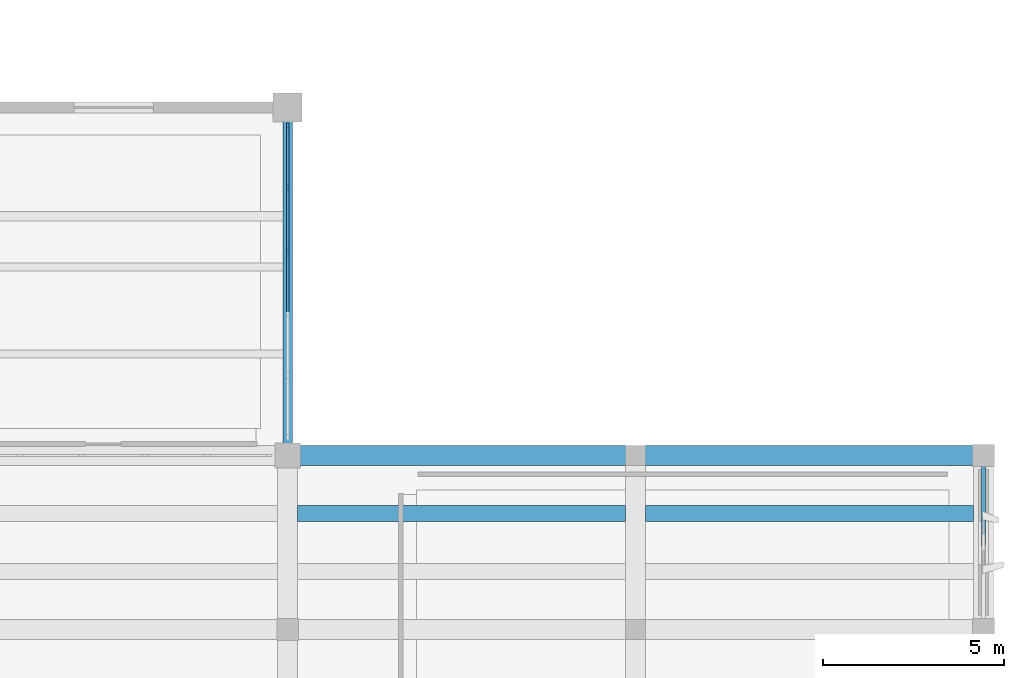
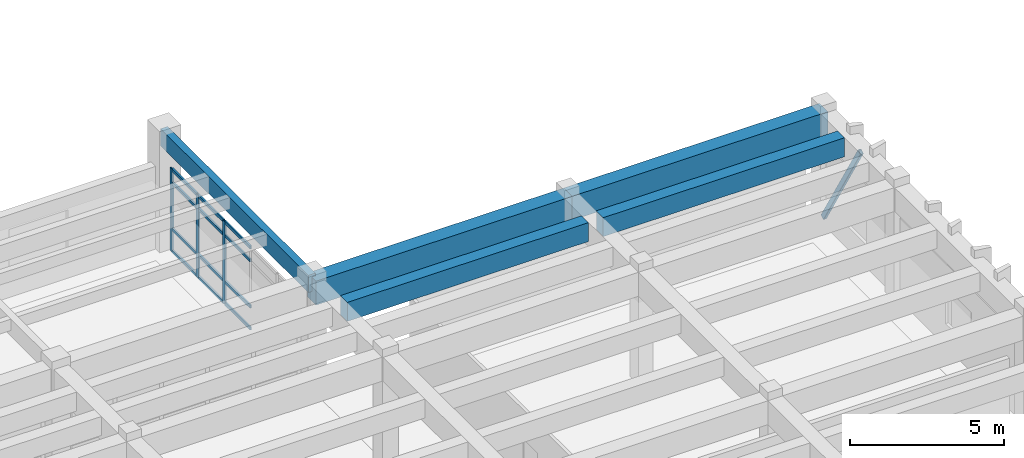
# One storey, part 43 of 86: 16 members, 5 beams, 1 element without a shape of its own.
"""IFC4 building model written with IfcOpenShell, lengths in metres."""

from ifc_helpers import new_model, si_unit, direction, frame, origin, origin_2d, place, context, subcontext, project, spatial, rectangle, hollow_rectangle, extrude, material, layer, layer_set, material_profile, profile_set, type_object, element, aggregate, save


model = new_model("IFC4")

# Units and contexts
model_context = context("Model", 3, precision=1e-05, world=origin(), true_north=direction((0.0, 1.0)))
body_context = subcontext(model_context, "Body", "Model", "MODEL_VIEW")
ifc_project = project(units=[si_unit("LENGTHUNIT", "METRE"), si_unit("AREAUNIT", "SQUARE_METRE"), si_unit("VOLUMEUNIT", "CUBIC_METRE"), si_unit("PLANEANGLEUNIT", "RADIAN"), si_unit("MASSUNIT", "GRAM", prefix="KILO")], contexts=[model_context])

# Site, building, storey
site_placement = place(None, origin())
site = spatial("IfcSite", under=ifc_project, at=site_placement, CompositionType="ELEMENT")
building_placement = place(site_placement, origin())
building = spatial("IfcBuilding", under=site, at=building_placement, Name="Kolvemor Railside Polytechnic", CompositionType="ELEMENT")
storey_placement = place(building_placement, frame((0.0, 0.0, 5.39990234375)))
storey = spatial("IfcBuildingStorey", under=building, at=storey_placement, Name="L01", CompositionType="ELEMENT", Elevation=5.39990234375)

# Beams
ifc_material_1 = material(Name="Glulam GL28h", Category="wood")
ifc_material_profile_1 = material_profile(ifc_material_1, rectangle(XDim=0.264892578125, YDim=0.679931640625, at=origin_2d()), Name="GL265x680")
ifc_profile_set_1 = profile_set([ifc_material_profile_1], Name="Glulam GL28h")
beam_type_1 = type_object("IfcBeamType", Name="BM-GL-GIRD2", PredefinedType="BEAM", material=ifc_profile_set_1)
beam_1_placement = place(storey_placement, frame((163.199951171875, 81.60009765625, 4.2451171875), z_axis=(0.0, 1.0, 0.0), x_axis=(-1.0, 0.0, 0.0)))
element("IfcBeam", 1, at=beam_1_placement, inside=storey, type_object=beam_type_1, Name="Link Roof Girder GY 1090", PredefinedType="BEAM", context=body_context, shape_type="SweptSolid", body=[
    extrude(rectangle(XDim=0.264892578125, YDim=0.679931640625, at=origin_2d()), origin(), (0.0, 0.0, 1.0), 9.599853515625),
])
ifc_material_2 = material(Name="Concrete C40/50", Category="concrete")
ifc_material_profile_2 = material_profile(ifc_material_2, rectangle(XDim=0.550048828125, YDim=0.949951171875, at=origin_2d()), Name="RC550x950")
ifc_profile_set_2 = profile_set([ifc_material_profile_2], Name="Concrete C40/50")
beam_type_2 = type_object("IfcBeamType", Name="BM-RC-GIRD", PredefinedType="BEAM", material=ifc_profile_set_2)
beam_2_placement = place(storey_placement, frame((163.199951171875, 81.60009765625, 4.005126953125), z_axis=(1.0, 0.0, 0.0), x_axis=(0.0, 1.0, 0.0)))
element("IfcBeam", 2, at=beam_2_placement, inside=storey, type_object=beam_type_2, Name="Primary Girder L02-GX 0933", PredefinedType="BEAM", context=body_context, shape_type="SweptSolid", body=[
    extrude(rectangle(XDim=0.550048828125, YDim=0.949951171875, at=origin_2d()), origin(), (0.0, 0.0, 1.0), 9.60009765625),
])
beam_3_placement = place(storey_placement, frame((172.800048828125, 81.60009765625, 4.005126953125), z_axis=(1.0, 0.0, 0.0), x_axis=(0.0, 1.0, 0.0)))
element("IfcBeam", 3, at=beam_3_placement, inside=storey, type_object=beam_type_2, Name="Primary Girder L02-GX 0934", PredefinedType="BEAM", context=body_context, shape_type="SweptSolid", body=[
    extrude(rectangle(XDim=0.550048828125, YDim=0.949951171875, at=origin_2d()), origin(), (0.0, 0.0, 1.0), 9.599853515625),
])
ifc_material_3 = material(Name="Concrete C40/50", Category="concrete")
ifc_material_profile_3 = material_profile(ifc_material_3, rectangle(XDim=0.449951171875, YDim=0.75, at=origin_2d()), Name="RC450x750")
ifc_profile_set_3 = profile_set([ifc_material_profile_3], Name="Concrete C40/50")
beam_type_3 = type_object("IfcBeamType", Name="BM-RC-SEC", PredefinedType="JOIST", material=ifc_profile_set_3)
beam_4_placement = place(storey_placement, frame((163.47509765625, 80.0, 4.10498046875), z_axis=(1.0, 0.0, 0.0), x_axis=(0.0, 1.0, 0.0)))
element("IfcBeam", 4, at=beam_4_placement, inside=storey, type_object=beam_type_3, Name="Floor Joist L02-J1029", PredefinedType="JOIST", context=body_context, shape_type="SweptSolid", body=[
    extrude(rectangle(XDim=0.449951171875, YDim=0.75, at=origin_2d()), origin(), (0.0, 0.0, 1.0), 9.0498046875),
])
beam_5_placement = place(storey_placement, frame((173.074951171875, 80.0, 4.10498046875), z_axis=(1.0, 0.0, 0.0), x_axis=(0.0, 1.0, 0.0)))
element("IfcBeam", 5, at=beam_5_placement, inside=storey, type_object=beam_type_3, Name="Floor Joist L02-J1047", PredefinedType="JOIST", context=body_context, shape_type="SweptSolid", body=[
    extrude(rectangle(XDim=0.449951171875, YDim=0.75, at=origin_2d()), origin(), (0.0, 0.0, 1.0), 9.050048828125),
])

# Curtain wall, members
ifc_material_4 = material(Name="Anodised marine aluminium and laminated low-E glass", Category="aluminium")
ifc_layer = layer(ifc_material_4, 0.179931640625, Name="CW-UNIT-STD")
ifc_layer_set = layer_set([ifc_layer], Name="Anodised marine aluminium and laminated low-E glass")
curtain_wall_type = type_object("IfcCurtainWallType", Name="CW-UNIT-STD", PredefinedType="USERDEFINED", material=ifc_layer_set)
curtain_wall_placement = place(storey_placement, origin())
curtain_wall = element("IfcCurtainWall", 6, at=curtain_wall_placement, inside=storey, type_object=curtain_wall_type, Name="Curtain Wall L01-043", ObjectType="UNITISED CURTAIN WALL", PredefinedType="USERDEFINED")
ifc_material_5 = material(Name="Anodised marine aluminium 6063-T6", Category="aluminium")
ifc_material_profile_4 = material_profile(ifc_material_5, rectangle(XDim=0.06494140625, YDim=0.14990234375, at=origin_2d()), Name="CW-MUL-65x150")
ifc_profile_set_4 = profile_set([ifc_material_profile_4], Name="Anodised marine aluminium 6063-T6")
member_type_1 = type_object("IfcMemberType", Name="CWM-65x150", PredefinedType="MULLION", material=ifc_profile_set_4)
member_1_placement = place(storey_placement, frame((163.199951171875, 87.26611328125, 0.0), z_axis=(0.0, 0.0, 1.0), x_axis=(-1.0, 0.0, 0.0)))
member_1 = element("IfcMember", 7, at=member_1_placement, type_object=member_type_1, Name="CW-STD mullion 4", PredefinedType="MULLION", context=body_context, shape_type="SweptSolid", body=[
    extrude(rectangle(XDim=0.06494140625, YDim=0.14990234375, at=origin_2d()), origin(), (0.0, 0.0, 1.0), 3.280029296875),
])
member_2_placement = place(storey_placement, frame((163.199951171875, 88.998046875, 0.0), z_axis=(0.0, 0.0, 1.0), x_axis=(-1.0, 0.0, 0.0)))
member_2 = element("IfcMember", 8, at=member_2_placement, type_object=member_type_1, Name="CW-STD mullion 5", PredefinedType="MULLION", context=body_context, shape_type="SweptSolid", body=[
    extrude(rectangle(XDim=0.06494140625, YDim=0.14990234375, at=origin_2d()), origin(), (0.0, 0.0, 1.0), 3.280029296875),
])
member_3_placement = place(storey_placement, frame((163.199951171875, 90.697509765625, 0.0), z_axis=(0.0, 0.0, 1.0), x_axis=(-1.0, 0.0, 0.0)))
member_3 = element("IfcMember", 9, at=member_3_placement, type_object=member_type_1, Name="CW-STD mullion 6", PredefinedType="MULLION", context=body_context, shape_type="SweptSolid", body=[
    extrude(rectangle(XDim=0.06494140625, YDim=0.14990234375, at=origin_2d()), origin(), (0.0, 0.0, 1.0), 3.280029296875),
])
ifc_material_6 = material(Name="Anodised marine aluminium 6063-T6", Category="aluminium")
ifc_material_profile_5 = material_profile(ifc_material_6, rectangle(XDim=0.06494140625, YDim=0.1201171875, at=origin_2d()), Name="CW-TRN-65x120")
ifc_profile_set_5 = profile_set([ifc_material_profile_5], Name="Anodised marine aluminium 6063-T6")
member_type_2 = type_object("IfcMemberType", Name="CWT-65x120", PredefinedType="USERDEFINED", material=ifc_profile_set_5)
member_4_placement = place(storey_placement, frame((163.199951171875, 85.56640625, 0.03271484375), z_axis=(0.0, 1.0, 0.0), x_axis=(-1.0, 0.0, 0.0)))
member_4 = element("IfcMember", 10, at=member_4_placement, type_object=member_type_2, Name="CW-STD transom 3.1", ObjectType="TRANSOM", PredefinedType="USERDEFINED", context=body_context, shape_type="SweptSolid", body=[
    extrude(rectangle(XDim=0.06494140625, YDim=0.1201171875, at=origin_2d()), origin(), (0.0, 0.0, 1.0), 1.6669921875),
])
member_5_placement = place(storey_placement, frame((163.199951171875, 85.56640625, 0.900146484375), z_axis=(0.0, 1.0, 0.0), x_axis=(-1.0, 0.0, 0.0)))
member_5 = element("IfcMember", 11, at=member_5_placement, type_object=member_type_2, Name="CW-STD transom 3.2", ObjectType="TRANSOM", PredefinedType="USERDEFINED", context=body_context, shape_type="SweptSolid", body=[
    extrude(rectangle(XDim=0.06494140625, YDim=0.1201171875, at=origin_2d()), origin(), (0.0, 0.0, 1.0), 1.6669921875),
])
member_6_placement = place(storey_placement, frame((163.199951171875, 85.56640625, 2.72998046875), z_axis=(0.0, 1.0, 0.0), x_axis=(-1.0, 0.0, 0.0)))
member_6 = element("IfcMember", 12, at=member_6_placement, type_object=member_type_2, Name="CW-STD transom 3.3", ObjectType="TRANSOM", PredefinedType="USERDEFINED", context=body_context, shape_type="SweptSolid", body=[
    extrude(rectangle(XDim=0.06494140625, YDim=0.1201171875, at=origin_2d()), origin(), (0.0, 0.0, 1.0), 1.6669921875),
])
member_7_placement = place(storey_placement, frame((163.199951171875, 85.56640625, 3.24755859375), z_axis=(0.0, 1.0, 0.0), x_axis=(-1.0, 0.0, 0.0)))
member_7 = element("IfcMember", 13, at=member_7_placement, type_object=member_type_2, Name="CW-STD transom 3.4", ObjectType="TRANSOM", PredefinedType="USERDEFINED", context=body_context, shape_type="SweptSolid", body=[
    extrude(rectangle(XDim=0.06494140625, YDim=0.1201171875, at=origin_2d()), origin(), (0.0, 0.0, 1.0), 1.6669921875),
])
member_8_placement = place(storey_placement, frame((163.199951171875, 87.298583984375, 0.03271484375), z_axis=(0.0, 1.0, 0.0), x_axis=(-1.0, 0.0, 0.0)))
member_8 = element("IfcMember", 14, at=member_8_placement, type_object=member_type_2, Name="CW-STD transom 4.1", ObjectType="TRANSOM", PredefinedType="USERDEFINED", context=body_context, shape_type="SweptSolid", body=[
    extrude(rectangle(XDim=0.06494140625, YDim=0.1201171875, at=origin_2d()), origin(), (0.0, 0.0, 1.0), 1.6669921875),
])
member_9_placement = place(storey_placement, frame((163.199951171875, 87.298583984375, 0.900146484375), z_axis=(0.0, 1.0, 0.0), x_axis=(-1.0, 0.0, 0.0)))
member_9 = element("IfcMember", 15, at=member_9_placement, type_object=member_type_2, Name="CW-STD transom 4.2", ObjectType="TRANSOM", PredefinedType="USERDEFINED", context=body_context, shape_type="SweptSolid", body=[
    extrude(rectangle(XDim=0.06494140625, YDim=0.1201171875, at=origin_2d()), origin(), (0.0, 0.0, 1.0), 1.6669921875),
])
member_10_placement = place(storey_placement, frame((163.199951171875, 87.298583984375, 2.72998046875), z_axis=(0.0, 1.0, 0.0), x_axis=(-1.0, 0.0, 0.0)))
member_10 = element("IfcMember", 16, at=member_10_placement, type_object=member_type_2, Name="CW-STD transom 4.3", ObjectType="TRANSOM", PredefinedType="USERDEFINED", context=body_context, shape_type="SweptSolid", body=[
    extrude(rectangle(XDim=0.06494140625, YDim=0.1201171875, at=origin_2d()), origin(), (0.0, 0.0, 1.0), 1.6669921875),
])
member_11_placement = place(storey_placement, frame((163.199951171875, 87.298583984375, 3.24755859375), z_axis=(0.0, 1.0, 0.0), x_axis=(-1.0, 0.0, 0.0)))
member_11 = element("IfcMember", 17, at=member_11_placement, type_object=member_type_2, Name="CW-STD transom 4.4", ObjectType="TRANSOM", PredefinedType="USERDEFINED", context=body_context, shape_type="SweptSolid", body=[
    extrude(rectangle(XDim=0.06494140625, YDim=0.1201171875, at=origin_2d()), origin(), (0.0, 0.0, 1.0), 1.6669921875),
])
member_12_placement = place(storey_placement, frame((163.199951171875, 89.030517578125, 0.03271484375), z_axis=(0.0, 1.0, 0.0), x_axis=(-1.0, 0.0, 0.0)))
member_12 = element("IfcMember", 18, at=member_12_placement, type_object=member_type_2, Name="CW-STD transom 5.1", ObjectType="TRANSOM", PredefinedType="USERDEFINED", context=body_context, shape_type="SweptSolid", body=[
    extrude(rectangle(XDim=0.06494140625, YDim=0.1201171875, at=origin_2d()), origin(), (0.0, 0.0, 1.0), 1.634521484375),
])
member_13_placement = place(storey_placement, frame((163.199951171875, 89.030517578125, 0.900146484375), z_axis=(0.0, 1.0, 0.0), x_axis=(-1.0, 0.0, 0.0)))
member_13 = element("IfcMember", 19, at=member_13_placement, type_object=member_type_2, Name="CW-STD transom 5.2", ObjectType="TRANSOM", PredefinedType="USERDEFINED", context=body_context, shape_type="SweptSolid", body=[
    extrude(rectangle(XDim=0.06494140625, YDim=0.1201171875, at=origin_2d()), origin(), (0.0, 0.0, 1.0), 1.634521484375),
])
member_14_placement = place(storey_placement, frame((163.199951171875, 89.030517578125, 2.72998046875), z_axis=(0.0, 1.0, 0.0), x_axis=(-1.0, 0.0, 0.0)))
member_14 = element("IfcMember", 20, at=member_14_placement, type_object=member_type_2, Name="CW-STD transom 5.3", ObjectType="TRANSOM", PredefinedType="USERDEFINED", context=body_context, shape_type="SweptSolid", body=[
    extrude(rectangle(XDim=0.06494140625, YDim=0.1201171875, at=origin_2d()), origin(), (0.0, 0.0, 1.0), 1.634521484375),
])
member_15_placement = place(storey_placement, frame((163.199951171875, 89.030517578125, 3.24755859375), z_axis=(0.0, 1.0, 0.0), x_axis=(-1.0, 0.0, 0.0)))
member_15 = element("IfcMember", 21, at=member_15_placement, type_object=member_type_2, Name="CW-STD transom 5.4", ObjectType="TRANSOM", PredefinedType="USERDEFINED", context=body_context, shape_type="SweptSolid", body=[
    extrude(rectangle(XDim=0.06494140625, YDim=0.1201171875, at=origin_2d()), origin(), (0.0, 0.0, 1.0), 1.634521484375),
])
aggregate(curtain_wall, [member_1, member_2, member_3, member_4, member_5, member_6, member_7, member_8, member_9, member_10, member_11, member_12, member_13, member_14, member_15])

# Member
ifc_material_7 = material(Name="Steel S355", Category="steel")
ifc_material_profile_6 = material_profile(ifc_material_7, hollow_rectangle(XDim=0.1201171875, YDim=0.199951171875, WallThickness=0.008056640625, InnerFilletRadius=0.008056640625, OuterFilletRadius=0.01611328125, at=origin_2d()), Name="HSS200x120x8")
ifc_profile_set_6 = profile_set([ifc_material_profile_6], Name="Steel S355")
member_type_3 = type_object("IfcMemberType", Name="MEM-BR-HSS2", PredefinedType="BRACE", material=ifc_profile_set_6)
member_16_placement = place(storey_placement, frame((182.39990234375, 81.60009765625, 0.150146484375), z_axis=(0.0, -0.511691560635, 0.85916921894), x_axis=(1.0, 0.0, 0.0)))
element("IfcMember", 22, at=member_16_placement, inside=storey, type_object=member_type_3, Name="Wind Chevron Brace BR-08B", PredefinedType="BRACE", context=body_context, shape_type="SweptSolid", body=[
    extrude(hollow_rectangle(XDim=0.1201171875, YDim=0.199951171875, WallThickness=0.008056640625, InnerFilletRadius=0.008056640625, OuterFilletRadius=0.01611328125, at=origin_2d()), origin(), (0.0, 0.0, 1.0), 4.690673828125),
])

save(model, "model.ifc")
